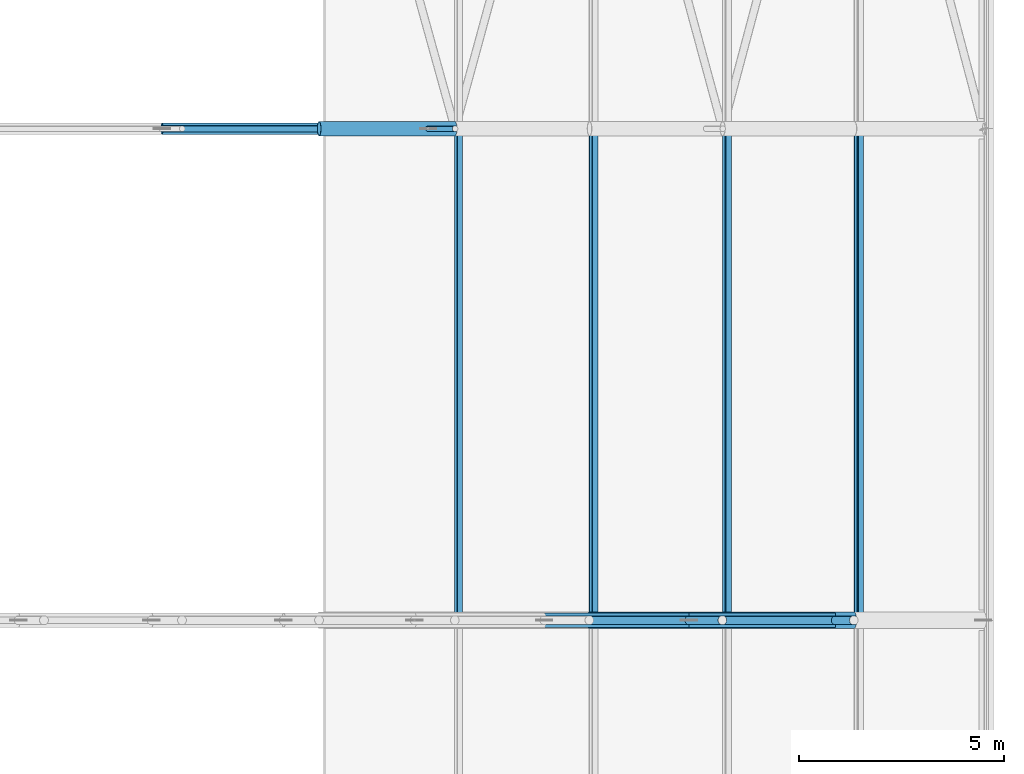
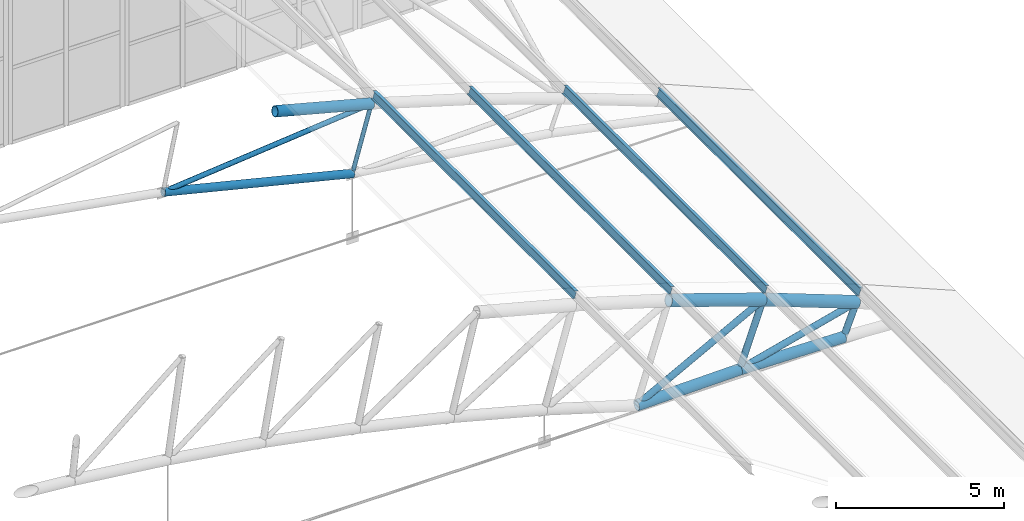
# One storey, part 195 of 321: 16 members.
"""IFC4 building model written with IfcOpenShell, lengths in metres."""

from ifc_helpers import new_model, si_unit, direction, frame, origin, origin_2d, place, context, subcontext, project, spatial, hollow_circle, i_section, extrude, material, material_profile, profile_set, type_object, element, save


model = new_model("IFC4")

# Units and contexts
model_context = context("Model", 3, precision=1e-05, world=origin(), true_north=direction((0.0, 1.0)))
body_context = subcontext(model_context, "Body", "Model", "MODEL_VIEW")
ifc_project = project(units=[si_unit("LENGTHUNIT", "METRE"), si_unit("AREAUNIT", "SQUARE_METRE"), si_unit("VOLUMEUNIT", "CUBIC_METRE"), si_unit("PLANEANGLEUNIT", "RADIAN"), si_unit("MASSUNIT", "GRAM", prefix="KILO")], contexts=[model_context])

# Site, building, storey
site_placement = place(None, origin())
site = spatial("IfcSite", under=ifc_project, at=site_placement, CompositionType="ELEMENT")
building_placement = place(site_placement, origin())
building = spatial("IfcBuilding", under=site, at=building_placement, Name="Ravi Spectrum Wholesale Market", CompositionType="ELEMENT")
storey_placement = place(building_placement, frame((0.0, 0.0, 10.800048828125)))
storey = spatial("IfcBuildingStorey", under=building, at=storey_placement, Name="L02", CompositionType="ELEMENT", Elevation=10.800048828125)

# Members
ifc_material_1 = material(Name="Steel S355", Category="steel")
ifc_material_profile_1 = material_profile(ifc_material_1, hollow_circle(Radius=0.06982421875, WallThickness=0.0048828125, at=origin_2d()))
ifc_profile_set_1 = profile_set([ifc_material_profile_1], Name="Steel S355")
member_type_1 = type_object("IfcMemberType", Name="CHS 139.7x5 post", PredefinedType="POST", material=ifc_profile_set_1)
member_1_placement = place(storey_placement, frame((97.103759765625, 186.0, 4.661376953125), z_axis=(-0.272503703517, 0.0, -0.962154733694), x_axis=(0.0, -1.0, 0.0)))
element("IfcMember", 1, at=member_1_placement, inside=storey, type_object=member_type_1, Name="H1-MB-L02-1117", PredefinedType="POST", context=body_context, shape_type="SweptSolid", body=[
    extrude(hollow_circle(Radius=0.06982421875, WallThickness=0.0048828125, at=origin_2d()), origin(), (0.0, 0.0, 1.0), 2.400146484375),
])
ifc_material_2 = material(Name="Steel S355", Category="steel")
ifc_material_profile_2 = material_profile(ifc_material_2, hollow_circle(Radius=0.084228515625, WallThickness=0.00634765625, at=origin_2d()))
ifc_profile_set_2 = profile_set([ifc_material_profile_2], Name="Steel S355")
member_type_2 = type_object("IfcMemberType", Name="CHS 168.3x6.3 brace", PredefinedType="BRACE", material=ifc_profile_set_2)
member_2_placement = place(storey_placement, frame((97.103759765625, 186.0, 4.661376953125), z_axis=(-0.995140525262, 0.0, -0.098464892124), x_axis=(0.0, -1.0, 0.0)))
element("IfcMember", 2, at=member_2_placement, inside=storey, type_object=member_type_2, Name="H1-MB-L02-1127", PredefinedType="BRACE", context=body_context, shape_type="SweptSolid", body=[
    extrude(hollow_circle(Radius=0.084228515625, WallThickness=0.00634765625, at=origin_2d()), origin(), (0.0, 0.0, 1.0), 7.1904296875),
])
ifc_material_3 = material(Name="Steel S355", Category="steel")
ifc_material_profile_3 = material_profile(ifc_material_3, hollow_circle(Radius=0.109619140625, WallThickness=0.008056640625, at=origin_2d()))
ifc_profile_set_3 = profile_set([ifc_material_profile_3], Name="Steel S355")
member_type_3 = type_object("IfcMemberType", Name="CHS 219.1x8 brace", PredefinedType="BRACE", material=ifc_profile_set_3)
member_3_placement = place(storey_placement, frame((103.62841796875, 174.0, 2.541015625), z_axis=(-0.881933088563, 0.0, -0.471374614608), x_axis=(0.0, -1.0, 0.0)))
element("IfcMember", 3, at=member_3_placement, inside=storey, type_object=member_type_3, Name="H1-MB-L02-1064", PredefinedType="BRACE", context=body_context, shape_type="SweptSolid", body=[
    extrude(hollow_circle(Radius=0.109619140625, WallThickness=0.008056640625, at=origin_2d()), origin(), (0.0, 0.0, 1.0), 4.9296875),
])
member_4_placement = place(storey_placement, frame((106.836181640625, 174.0, 1.325439453125), z_axis=(-0.967942387937, 0.0, -0.251172318609), x_axis=(0.0, -1.0, 0.0)))
element("IfcMember", 4, at=member_4_placement, inside=storey, type_object=member_type_3, Name="H1-MB-L02-1065", PredefinedType="BRACE", context=body_context, shape_type="SweptSolid", body=[
    extrude(hollow_circle(Radius=0.109619140625, WallThickness=0.008056640625, at=origin_2d()), origin(), (0.0, 0.0, 1.0), 4.15234375),
])
ifc_material_4 = material(Name="Steel S355", Category="steel")
ifc_material_profile_4 = material_profile(ifc_material_4, hollow_circle(Radius=0.109619140625, WallThickness=0.008056640625, at=origin_2d()))
ifc_profile_set_4 = profile_set([ifc_material_profile_4], Name="Steel S355")
member_type_4 = type_object("IfcMemberType", Name="CHS 219.1x8 post", PredefinedType="POST", material=ifc_profile_set_4)
member_5_placement = place(storey_placement, frame((103.62841796875, 174.0, 2.541015625), z_axis=(-0.338146640483, 0.0, -0.941093432944), x_axis=(0.0, -1.0, 0.0)))
element("IfcMember", 5, at=member_5_placement, inside=storey, type_object=member_type_4, Name="H1-MB-L02-1042", PredefinedType="POST", context=body_context, shape_type="SweptSolid", body=[
    extrude(hollow_circle(Radius=0.109619140625, WallThickness=0.008056640625, at=origin_2d()), origin(), (0.0, 0.0, 1.0), 2.39990234375),
])
member_6_placement = place(storey_placement, frame((106.836181640625, 174.0, 1.325439453125), z_axis=(-0.370513497528, 0.0, -0.928827081942), x_axis=(0.0, -1.0, 0.0)))
element("IfcMember", 6, at=member_6_placement, inside=storey, type_object=member_type_4, Name="H1-MB-L02-1043", PredefinedType="POST", context=body_context, shape_type="SweptSolid", body=[
    extrude(hollow_circle(Radius=0.109619140625, WallThickness=0.008056640625, at=origin_2d()), origin(), (0.0, 0.0, 1.0), 1.199951171875),
])
ifc_material_5 = material(Name="Steel S355", Category="steel")
ifc_material_profile_5 = material_profile(ifc_material_5, hollow_circle(Radius=0.136474609375, WallThickness=0.010009765625, at=origin_2d()))
ifc_profile_set_5 = profile_set([ifc_material_profile_5], Name="Steel S355")
member_type_5 = type_object("IfcMemberType", Name="CHS 273x10 chord", PredefinedType="CHORD", material=ifc_profile_set_5)
member_7_placement = place(storey_placement, frame((89.9482421875, 186.0, 3.953369140625), z_axis=(0.970981670562, 0.0, -0.23915391578), x_axis=(0.0, 1.0, 0.0)))
element("IfcMember", 7, at=member_7_placement, inside=storey, type_object=member_type_5, Name="H1-MB-L02-1105", PredefinedType="CHORD", context=body_context, shape_type="SweptSolid", body=[
    extrude(hollow_circle(Radius=0.136474609375, WallThickness=0.010009765625, at=origin_2d()), origin(), (0.0, 0.0, 1.0), 6.69580078125),
])
ifc_material_6 = material(Name="Steel S355", Category="steel")
ifc_material_profile_6 = material_profile(ifc_material_6, hollow_circle(Radius=0.177734375, WallThickness=0.012451171875, at=origin_2d()))
ifc_profile_set_6 = profile_set([ifc_material_profile_6], Name="Steel S355")
member_type_6 = type_object("IfcMemberType", Name="CHS 355.6x12.5 chord", PredefinedType="CHORD", material=ifc_profile_set_6)
member_8_placement = place(storey_placement, frame((99.28076171875, 174.0, 0.21728515625), z_axis=(0.999830134639, 0.0, 0.018431002896), x_axis=(0.0, 1.0, 0.0)))
element("IfcMember", 8, at=member_8_placement, inside=storey, type_object=member_type_6, Name="H1-MB-L02-1018", PredefinedType="CHORD", context=body_context, shape_type="SweptSolid", body=[
    extrude(hollow_circle(Radius=0.177734375, WallThickness=0.012451171875, at=origin_2d()), origin(), (0.0, 0.0, 1.0), 3.53662109375),
])
member_9_placement = place(storey_placement, frame((102.81689453125, 174.0, 0.282470703125), z_axis=(0.999799841502, 0.0, -0.020006922112), x_axis=(0.0, 1.0, 0.0)))
element("IfcMember", 9, at=member_9_placement, inside=storey, type_object=member_type_6, Name="H1-MB-L02-1019", PredefinedType="CHORD", context=body_context, shape_type="SweptSolid", body=[
    extrude(hollow_circle(Radius=0.177734375, WallThickness=0.012451171875, at=origin_2d()), origin(), (0.0, 0.0, 1.0), 3.575439453125),
])
member_10_placement = place(storey_placement, frame((93.786865234375, 186.0, 5.5390625), z_axis=(0.966728003216, 0.0, -0.255806504605), x_axis=(0.0, 1.0, 0.0)))
element("IfcMember", 10, at=member_10_placement, inside=storey, type_object=member_type_6, Name="H1-MB-L02-1091", PredefinedType="CHORD", context=body_context, shape_type="SweptSolid", body=[
    extrude(hollow_circle(Radius=0.177734375, WallThickness=0.012451171875, at=origin_2d()), origin(), (0.0, 0.0, 1.0), 3.43115234375),
])
ifc_material_7 = material(Name="Steel S355", Category="steel")
ifc_material_profile_7 = material_profile(ifc_material_7, hollow_circle(Radius=0.203125, WallThickness=0.01611328125, at=origin_2d()))
ifc_profile_set_7 = profile_set([ifc_material_profile_7], Name="Steel S355")
member_type_7 = type_object("IfcMemberType", Name="CHS 406.4x16 chord", PredefinedType="CHORD", material=ifc_profile_set_7)
for number, where, z_axis, x_axis, name in (
    (11, (100.380615234375, 174.0, 3.645263671875), (0.946773178626, 0.0, -0.321901457335), (0.0, 1.0, 0.0), "H1-MB-L02-994"),
    (12, (103.62841796875, 174.0, 2.541015625), (0.935109783896, 0.0, -0.354358140956), (0.0, 1.0, 0.0), "H1-MB-L02-995"),
):
    element("IfcMember", number, at=place(storey_placement, frame(where, z_axis=z_axis, x_axis=x_axis)), inside=storey, type_object=member_type_7, Name=name, PredefinedType="CHORD", context=body_context, shape_type="SweptSolid", body=[
        extrude(hollow_circle(Radius=0.203125, WallThickness=0.01611328125, at=origin_2d()), origin(), (0.0, 0.0, 1.0), 3.430419921875),
    ])
ifc_material_8 = material(Name="Steel S355", Category="steel")
ifc_material_profile_8 = material_profile(ifc_material_8, i_section(OverallWidth=0.135009765625, OverallDepth=0.27001953125, WebThickness=0.006591796875, FlangeThickness=0.01025390625, at=origin_2d()))
ifc_profile_set_8 = profile_set([ifc_material_profile_8], Name="Steel S355")
member_type_8 = type_object("IfcMemberType", Name="IPE 270 purlin", PredefinedType="PURLIN", material=ifc_profile_set_8)
for number, where, z_axis, x_axis, name in (
    (13, (97.18896484375, 174.0, 4.962158203125), (0.0, 1.0, 0.0), (-0.96215600485, 0.0, 0.272499215286), "H1-MB-L02-1554"),
    (14, (100.484130859375, 174.0, 3.96728515625), (0.0, 1.0, 0.0), (-0.952184497174, 0.0, 0.305523621577), "H1-MB-L02-1555"),
    (15, (103.74267578125, 174.0, 2.859375), (0.0, 1.0, 0.0), (-0.941079849597, 0.0, 0.338184441811), "H1-MB-L02-1556"),
    (16, (106.96142578125, 174.0, 1.6396484375), (0.0, 1.0, 0.0), (-0.928855283584, 0.0, 0.370442792017), "H1-MB-L02-1557"),
):
    element("IfcMember", number, at=place(storey_placement, frame(where, z_axis=z_axis, x_axis=x_axis)), inside=storey, type_object=member_type_8, Name=name, PredefinedType="PURLIN", context=body_context, shape_type="SweptSolid", body=[
        extrude(i_section(OverallWidth=0.135009765625, OverallDepth=0.27001953125, WebThickness=0.006591796875, FlangeThickness=0.01025390625, at=origin_2d()), origin(), (0.0, 0.0, 1.0), 12.0),
    ])

save(model, "model.ifc")
